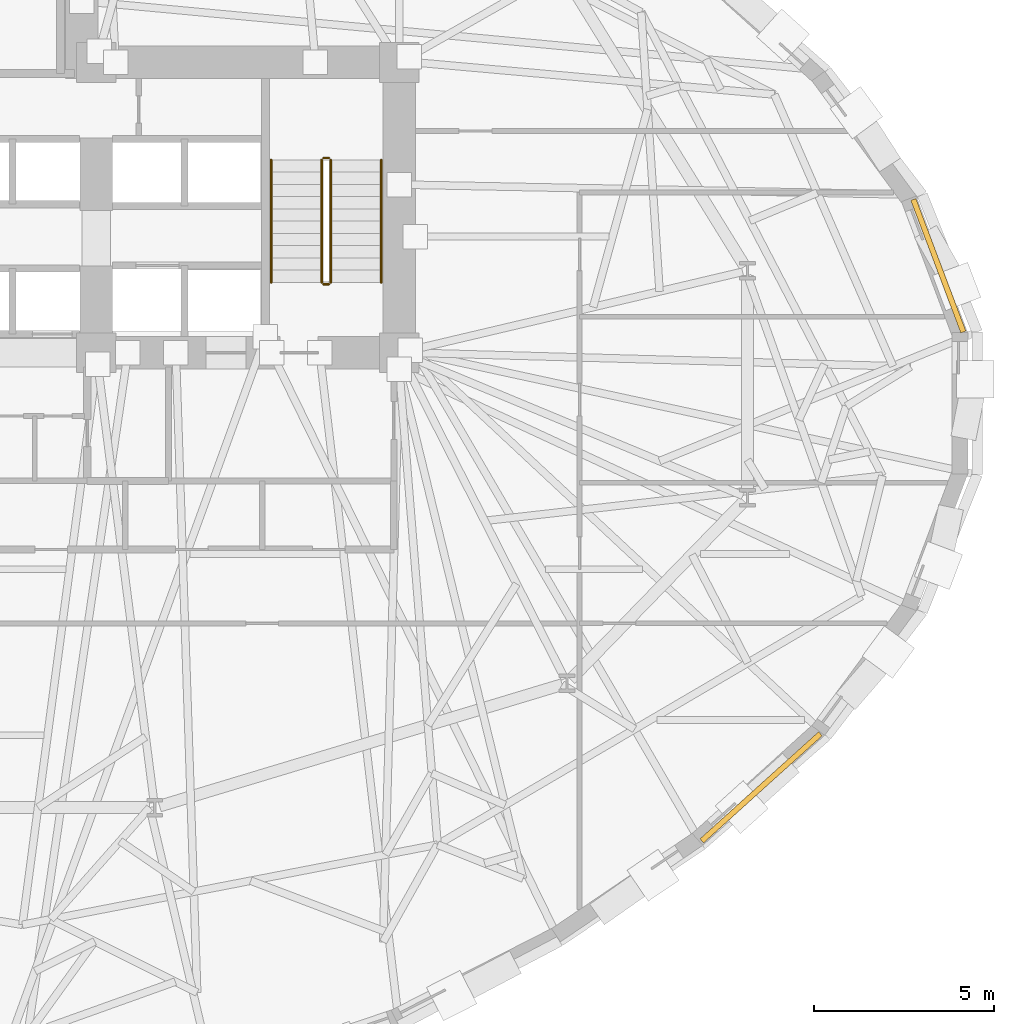
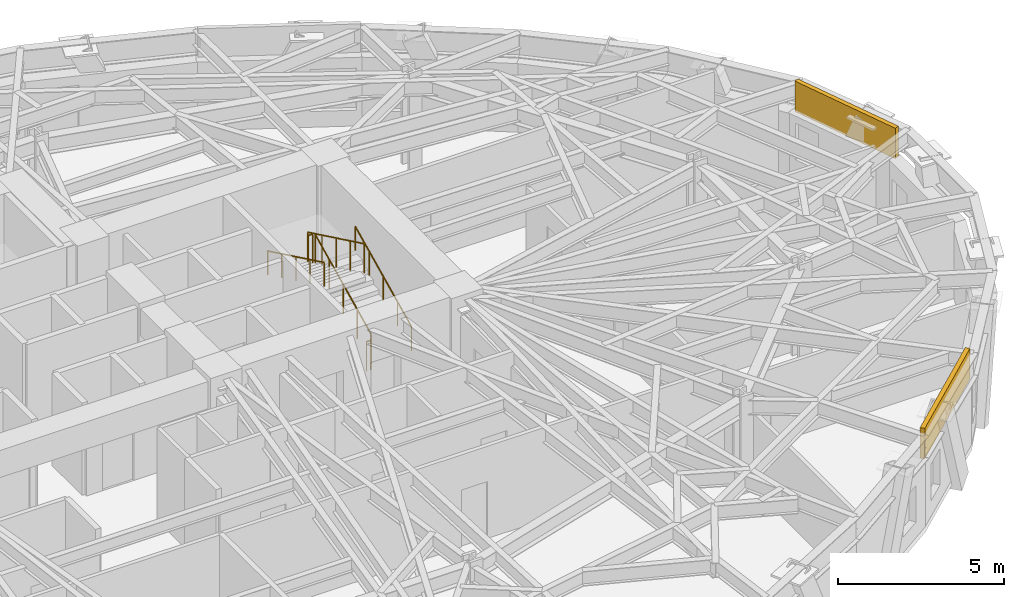
# One storey, part 13 of 14: 6 railings, 2 coverings.
"""IFC4 building model written with IfcOpenShell, lengths in metres."""

from ifc_helpers import new_model, si_unit, direction, frame, origin, origin_2d, place, context, subcontext, project, spatial, rectangle, circle, extrude, material, layer, layer_set, type_object, element, save


model = new_model("IFC4")

# Units and contexts
model_context = context("Model", 3, precision=1e-05, world=origin(), true_north=direction((0.0, 1.0)))
body_context = subcontext(model_context, "Body", "Model", "MODEL_VIEW")
ifc_project = project(units=[si_unit("LENGTHUNIT", "METRE"), si_unit("AREAUNIT", "SQUARE_METRE"), si_unit("VOLUMEUNIT", "CUBIC_METRE"), si_unit("PLANEANGLEUNIT", "RADIAN"), si_unit("MASSUNIT", "GRAM", prefix="KILO")], contexts=[model_context])

# Site, building, storey
site_placement = place(None, origin())
site = spatial("IfcSite", under=ifc_project, at=site_placement, CompositionType="ELEMENT")
building_placement = place(site_placement, origin())
building = spatial("IfcBuilding", under=site, at=building_placement, Name="Keldmark Tower", CompositionType="ELEMENT")
storey_placement = place(building_placement, frame((0.0, 0.0, 63.0)))
storey = spatial("IfcBuildingStorey", under=building, at=storey_placement, Name="L16", CompositionType="ELEMENT", Elevation=63.0)

# Coverings
ifc_material_1 = material(Name="Honed Kasota Buff Dolomitic Limestone", Category="masonry")
ifc_layer = layer(ifc_material_1, 0.074951171875)
ifc_layer_set = layer_set([ifc_layer], Name="Honed Kasota Buff Dolomitic Limestone")
covering_type = type_object("IfcCoveringType", Name="Kasota Buff Limestone Spandrel Cladding Band", PredefinedType="CLADDING", material=ifc_layer_set)
covering_1_placement = place(storey_placement, frame((28.544921875, 3.814208984375, 2.453125), z_axis=(0.0, 0.0, 1.0), x_axis=(-0.352789032583, 0.935702890072, 0.0)))
element("IfcCovering", 1, at=covering_1_placement, inside=storey, type_object=covering_type, Name="L16 Kasota Limestone Spandrel Band 01", PredefinedType="CLADDING", context=body_context, shape_type="SweptSolid", body=[
    extrude(rectangle(XDim=3.9248046875, YDim=0.14990234375, at=origin_2d()), origin(), (0.0, 0.0, 1.0), 1.126953125),
])
covering_2_placement = place(storey_placement, frame((23.630859375, -10.64501953125, 2.453125), z_axis=(0.0, 0.0, 1.0), x_axis=(0.7423618559, 0.669999160377, 0.0)))
element("IfcCovering", 2, at=covering_2_placement, inside=storey, type_object=covering_type, Name="L16 Kasota Limestone Spandrel Band 29", PredefinedType="CLADDING", context=body_context, shape_type="SweptSolid", body=[
    extrude(rectangle(XDim=4.428955078125, YDim=0.14990234375, at=origin_2d()), origin(), (0.0, 0.0, 1.0), 1.126953125),
])

# Railings
ifc_material_2 = material(Name="Painted Steel ASTM A500 Grade B", Category="steel")
railing_type_1 = type_object("IfcRailingType", Name="Painted Steel Stair Well Guard 1100 mm", PredefinedType="GUARDRAIL", material=ifc_material_2)
railing_1_placement = place(storey_placement, frame((11.699951171875, 3.35009765625, 0.16357421875)))
element("IfcRailing", 3, at=railing_1_placement, inside=storey, type_object=railing_type_1, Name="L16 ST2 stair guard 1", PredefinedType="GUARDRAIL", context=body_context, shape_type="SweptSolid", body=[
    extrude(circle(Radius=0.02392578125, at=origin_2d()), frame((0.0, 0.0, 1.076171875), z_axis=(0.0, 0.901055053782, 0.433704726806), x_axis=(-1.0, 0.0, 0.0)), (0.0, 0.0, 1.0), 3.773193359375),
    extrude(circle(Radius=0.02099609375, at=origin_2d()), origin(), (0.0, 0.0, 1.0), 1.052001953125),
    extrude(circle(Radius=0.02099609375, at=origin_2d()), frame((0.0, 0.85009765625, 0.4091796875)), (0.0, 0.0, 1.0), 1.052001953125),
    extrude(circle(Radius=0.02099609375, at=origin_2d()), frame((0.0, 1.699951171875, 0.818359375)), (0.0, 0.0, 1.0), 1.052001953125),
    extrude(circle(Radius=0.02099609375, at=origin_2d()), frame((0.0, 2.5498046875, 1.227294921875)), (0.0, 0.0, 1.0), 1.052001953125),
    extrude(circle(Radius=0.02099609375, at=origin_2d()), frame((0.0, 3.39990234375, 1.636474609375)), (0.0, 0.0, 1.0), 1.052001953125),
])
railing_2_placement = place(storey_placement, frame((11.64990234375, 6.800048828125, 1.800048828125)))
element("IfcRailing", 4, at=railing_2_placement, inside=storey, type_object=railing_type_1, Name="L16 ST2 stair guard 2", PredefinedType="GUARDRAIL", context=body_context, shape_type="SweptSolid", body=[
    extrude(circle(Radius=0.02392578125, at=origin_2d()), frame((0.0, 0.0, 1.076171875), z_axis=(-1.0, 0.0, 0.0), x_axis=(0.0, -1.0, 0.0)), (0.0, 0.0, 1.0), 0.14990234375),
    extrude(circle(Radius=0.02099609375, at=origin_2d()), origin(), (0.0, 0.0, 1.0), 1.052001953125),
    extrude(circle(Radius=0.02099609375, at=origin_2d()), frame((-0.14990234375, 0.0, 0.0)), (0.0, 0.0, 1.0), 1.052001953125),
])
railing_3_placement = place(storey_placement, frame((11.449951171875, 6.75, 1.963623046875)))
element("IfcRailing", 5, at=railing_3_placement, inside=storey, type_object=railing_type_1, Name="L16 ST2 stair guard 3", PredefinedType="GUARDRAIL", context=body_context, shape_type="SweptSolid", body=[
    extrude(circle(Radius=0.02392578125, at=origin_2d()), frame((0.0, 0.0, 1.076171875), z_axis=(0.0, -0.901055053782, 0.433704726806), x_axis=(1.0, 0.0, 0.0)), (0.0, 0.0, 1.0), 3.773193359375),
    extrude(circle(Radius=0.02099609375, at=origin_2d()), origin(), (0.0, 0.0, 1.0), 1.052001953125),
    extrude(circle(Radius=0.02099609375, at=origin_2d()), frame((0.0, -0.85009765625, 0.4091796875)), (0.0, 0.0, 1.0), 1.052001953125),
    extrude(circle(Radius=0.02099609375, at=origin_2d()), frame((0.0, -1.699951171875, 0.818359375)), (0.0, 0.0, 1.0), 1.052001953125),
    extrude(circle(Radius=0.02099609375, at=origin_2d()), frame((0.0, -2.5498046875, 1.227294921875)), (0.0, 0.0, 1.0), 1.052001953125),
    extrude(circle(Radius=0.02099609375, at=origin_2d()), frame((0.0, -3.39990234375, 1.636474609375)), (0.0, 0.0, 1.0), 1.052001953125),
])
railing_4_placement = place(storey_placement, frame((11.64990234375, 3.300048828125, 0.0)))
element("IfcRailing", 6, at=railing_4_placement, inside=storey, type_object=railing_type_1, Name="L16 ST2 stair guard 4", PredefinedType="GUARDRAIL", context=body_context, shape_type="SweptSolid", body=[
    extrude(circle(Radius=0.02392578125, at=origin_2d()), frame((0.0, 0.0, 1.076171875), z_axis=(-1.0, 0.0, 0.0), x_axis=(0.0, -1.0, 0.0)), (0.0, 0.0, 1.0), 0.14990234375),
    extrude(circle(Radius=0.02099609375, at=origin_2d()), origin(), (0.0, 0.0, 1.0), 1.052001953125),
    extrude(circle(Radius=0.02099609375, at=origin_2d()), frame((-0.14990234375, 0.0, 0.0)), (0.0, 0.0, 1.0), 1.052001953125),
])
ifc_material_3 = material(Name="Stainless Steel AISI 316L", Category="steel")
railing_type_2 = type_object("IfcRailingType", Name="Stainless Steel Stair Handrail 900 mm", PredefinedType="HANDRAIL", material=ifc_material_3)
railing_5_placement = place(storey_placement, frame((13.10009765625, 3.35009765625, 0.16357421875)))
element("IfcRailing", 7, at=railing_5_placement, inside=storey, type_object=railing_type_2, Name="L16 ST2 stair handrail 1", PredefinedType="HANDRAIL", context=body_context, shape_type="SweptSolid", body=[
    extrude(circle(Radius=0.02392578125, at=origin_2d()), frame((0.0, 0.0, 0.8759765625), z_axis=(0.0, 0.901055053782, 0.433704726806), x_axis=(-1.0, 0.0, 0.0)), (0.0, 0.0, 1.0), 3.773193359375),
    extrude(circle(Radius=0.02099609375, at=origin_2d()), origin(), (0.0, 0.0, 1.0), 0.851806640625),
    extrude(circle(Radius=0.02099609375, at=origin_2d()), frame((0.0, 0.85009765625, 0.4091796875)), (0.0, 0.0, 1.0), 0.851806640625),
    extrude(circle(Radius=0.02099609375, at=origin_2d()), frame((0.0, 1.699951171875, 0.818359375)), (0.0, 0.0, 1.0), 0.851806640625),
    extrude(circle(Radius=0.02099609375, at=origin_2d()), frame((0.0, 2.5498046875, 1.227294921875)), (0.0, 0.0, 1.0), 0.851806640625),
    extrude(circle(Radius=0.02099609375, at=origin_2d()), frame((0.0, 3.39990234375, 1.636474609375)), (0.0, 0.0, 1.0), 0.851806640625),
])
railing_6_placement = place(storey_placement, frame((10.050048828125, 6.75, 1.963623046875)))
element("IfcRailing", 8, at=railing_6_placement, inside=storey, type_object=railing_type_2, Name="L16 ST2 stair handrail 2", PredefinedType="HANDRAIL", context=body_context, shape_type="SweptSolid", body=[
    extrude(circle(Radius=0.02392578125, at=origin_2d()), frame((0.0, 0.0, 0.8759765625), z_axis=(0.0, -0.901055053782, 0.433704726806), x_axis=(1.0, 0.0, 0.0)), (0.0, 0.0, 1.0), 3.773193359375),
    extrude(circle(Radius=0.02099609375, at=origin_2d()), origin(), (0.0, 0.0, 1.0), 0.851806640625),
    extrude(circle(Radius=0.02099609375, at=origin_2d()), frame((0.0, -0.85009765625, 0.4091796875)), (0.0, 0.0, 1.0), 0.851806640625),
    extrude(circle(Radius=0.02099609375, at=origin_2d()), frame((0.0, -1.699951171875, 0.818359375)), (0.0, 0.0, 1.0), 0.851806640625),
    extrude(circle(Radius=0.02099609375, at=origin_2d()), frame((0.0, -2.5498046875, 1.227294921875)), (0.0, 0.0, 1.0), 0.851806640625),
    extrude(circle(Radius=0.02099609375, at=origin_2d()), frame((0.0, -3.39990234375, 1.636474609375)), (0.0, 0.0, 1.0), 0.851806640625),
])

save(model, "model.ifc")
